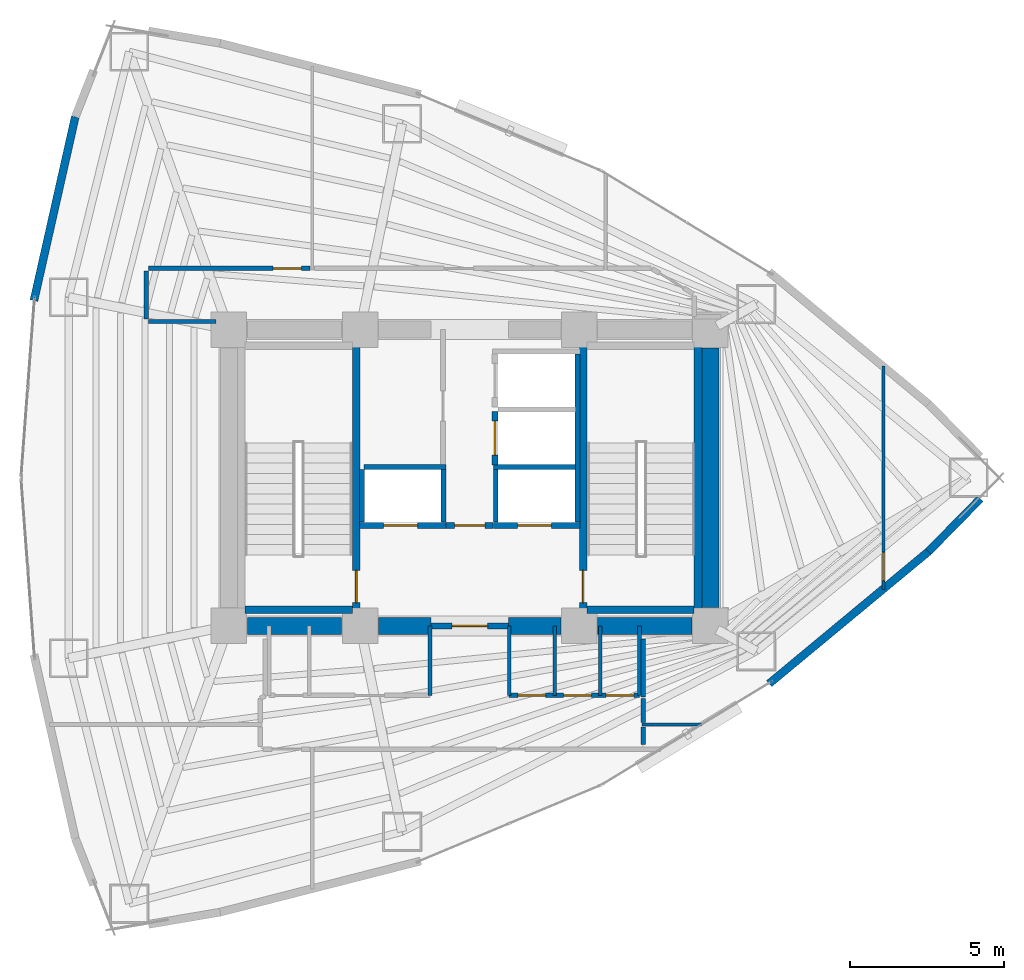
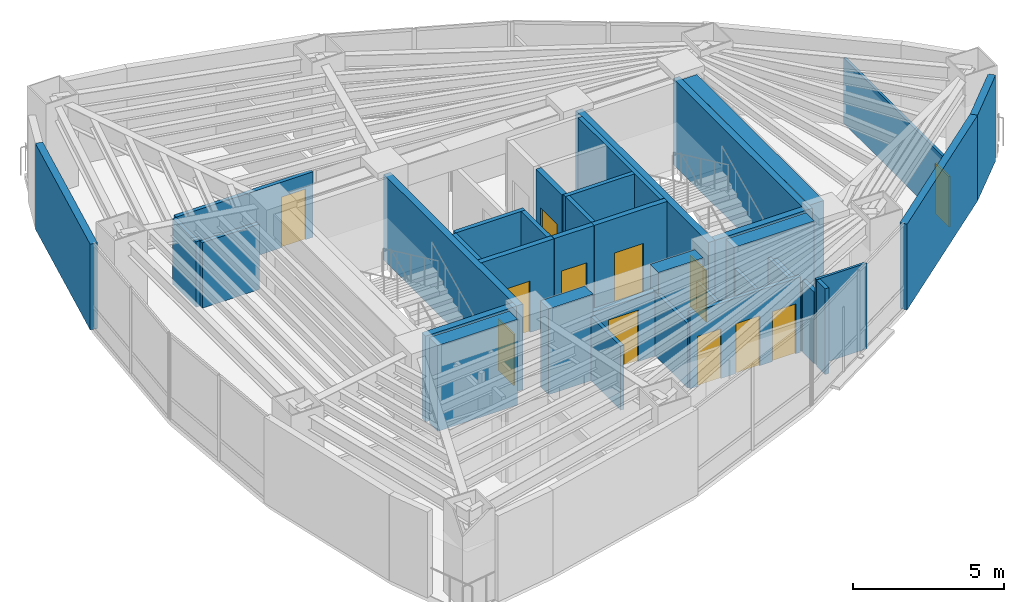
# One storey, part 15 of 18: 38 walls, 12 doors, 12 openings.
"""IFC4 building model written with IfcOpenShell, lengths in metres."""

from ifc_helpers import new_model, si_unit, direction, frame, frame_2d, origin, place, context, subcontext, project, spatial, rectangle, extrude, material, layer, layer_set, type_object, element, fill, save


model = new_model("IFC4")

# Units and contexts
model_context = context("Model", 3, precision=1e-05, world=origin(), true_north=direction((0.0, 1.0)))
body_context = subcontext(model_context, "Body", "Model", "MODEL_VIEW")
ifc_project = project(units=[si_unit("LENGTHUNIT", "METRE"), si_unit("AREAUNIT", "SQUARE_METRE"), si_unit("VOLUMEUNIT", "CUBIC_METRE"), si_unit("PLANEANGLEUNIT", "RADIAN"), si_unit("MASSUNIT", "GRAM", prefix="KILO")], contexts=[model_context])

# Site, building, storey
site_placement = place(None, origin())
site = spatial("IfcSite", under=ifc_project, at=site_placement, CompositionType="ELEMENT")
building_placement = place(site_placement, origin())
building = spatial("IfcBuilding", under=site, at=building_placement, Name="Menara Vayukalpa", CompositionType="ELEMENT")
storey_placement = place(building_placement, frame((0.0, 0.0, 126.300048828125)))
storey = spatial("IfcBuildingStorey", under=building, at=storey_placement, Name="L31", CompositionType="ELEMENT", Elevation=126.300048828125)

# Walls
ifc_material_1 = material(Name="Concrete C60/75", Category="concrete")
ifc_layer_1 = layer(ifc_material_1, 0.550048828125)
ifc_layer_set_1 = layer_set([ifc_layer_1], Name="Concrete C60/75")
wall_type_1 = type_object("IfcWallType", Name="WAL-CW550", PredefinedType="SHEAR", material=ifc_layer_set_1)
wall_1_placement = place(storey_placement, frame((18.39501953125, 17.199951171875, 0.0), z_axis=(0.0, 0.0, 1.0), x_axis=(1.0, 0.0, 0.0)))
element("IfcWall", 1, at=wall_1_placement, inside=storey, type_object=wall_type_1, Name="L31 Buttressed Core Shear Wall CWS1", PredefinedType="SHEAR", context=body_context, shape_type="SweptSolid", body=[
    extrude(rectangle(XDim=3.06005859375, YDim=0.550048828125, at=frame_2d((1.530029296875, 0.0))), origin(), (0.0, 0.0, 1.0), 3.469970703125),
])
wall_2_placement = place(storey_placement, frame((22.64501953125, 17.199951171875, 0.0), z_axis=(0.0, 0.0, 1.0), x_axis=(1.0, 0.0, 0.0)))
element("IfcWall", 2, at=wall_2_placement, inside=storey, type_object=wall_type_1, Name="L31 Buttressed Core Shear Wall CWS2", PredefinedType="SHEAR", context=body_context, shape_type="SweptSolid", body=[
    extrude(rectangle(XDim=1.705078125, YDim=0.550048828125, at=frame_2d((0.8525390625, 0.0))), origin(), (0.0, 0.0, 1.0), 3.469970703125),
])
wall_3_placement = place(storey_placement, frame((26.85009765625, 17.199951171875, 0.0), z_axis=(0.0, 0.0, 1.0), x_axis=(1.0, 0.0, 0.0)))
element("IfcWall", 3, at=wall_3_placement, inside=storey, type_object=wall_type_1, Name="L31 Buttressed Core Shear Wall CWS3", PredefinedType="SHEAR", context=body_context, shape_type="SweptSolid", body=[
    extrude(rectangle(XDim=1.704833984375, YDim=0.550048828125, at=frame_2d((0.8525390625, 0.0))), origin(), (0.0, 0.0, 1.0), 3.469970703125),
])
wall_4_placement = place(storey_placement, frame((29.7451171875, 17.199951171875, 0.0), z_axis=(0.0, 0.0, 1.0), x_axis=(1.0, 0.0, 0.0)))
element("IfcWall", 4, at=wall_4_placement, inside=storey, type_object=wall_type_1, Name="L31 Buttressed Core Shear Wall CWS4", PredefinedType="SHEAR", context=body_context, shape_type="SweptSolid", body=[
    extrude(rectangle(XDim=3.059814453125, YDim=0.550048828125, at=frame_2d((1.52978515625, 0.0))), origin(), (0.0, 0.0, 1.0), 3.469970703125),
])
wall_5_placement = place(storey_placement, frame((33.39990234375, 17.794921875, 0.0), z_axis=(0.0, 0.0, 1.0), x_axis=(0.0, 1.0, 0.0)))
element("IfcWall", 5, at=wall_5_placement, inside=storey, type_object=wall_type_1, Name="L31 Buttressed Core Shear Wall CWE1", PredefinedType="SHEAR", context=body_context, shape_type="SweptSolid", body=[
    extrude(rectangle(XDim=8.41015625, YDim=0.550048828125, at=frame_2d((4.205078125, 0.0))), origin(), (0.0, 0.0, 1.0), 3.469970703125),
])
ifc_material_2 = material(Name="Insulated Precast Concrete C40/50", Category="concrete")
ifc_layer_2 = layer(ifc_material_2, 0.260009765625)
ifc_layer_set_2 = layer_set([ifc_layer_2], Name="Insulated Precast Concrete C40/50")
wall_type_2 = type_object("IfcWallType", Name="WAL-EXT260", PredefinedType="PARTITIONING", material=ifc_layer_set_2)
wall_6_placement = place(storey_placement, frame((42.14111328125, 21.316650390625, 0.0), z_axis=(0.0, 0.0, 1.0), x_axis=(-0.700603293449, -0.713550996922, 0.0)))
element("IfcWall", 6, at=wall_6_placement, inside=storey, type_object=wall_type_2, Name="L31 Perimeter Terracotta Pier Wall 01", PredefinedType="PARTITIONING", context=body_context, shape_type="SweptSolid", body=[
    extrude(rectangle(XDim=2.394775390625, YDim=0.260009765625, at=frame_2d((1.197265625, 0.0))), origin(), (0.0, 0.0, 1.0), 3.469970703125),
])
wall_7_placement = place(storey_placement, frame((11.482421875, 27.73828125, 0.0), z_axis=(0.0, 0.0, 1.0), x_axis=(0.219535044336, 0.975604614743, 0.0)))
element("IfcWall", 7, at=wall_7_placement, inside=storey, type_object=wall_type_2, Name="L31 Perimeter Terracotta Pier Wall 09", PredefinedType="PARTITIONING", context=body_context, shape_type="SweptSolid", body=[
    extrude(rectangle(XDim=6.10205078125, YDim=0.260009765625, at=frame_2d((3.051025390625, 0.0))), origin(), (0.0, 0.0, 1.0), 3.469970703125),
])
wall_8_placement = place(storey_placement, frame((40.472412109375, 19.6162109375, 0.0), z_axis=(0.0, 0.0, 1.0), x_axis=(-0.76975316947, -0.638341646841, 0.0)))
element("IfcWall", 8, at=wall_8_placement, inside=storey, type_object=wall_type_2, Name="L31 Perimeter Terracotta Pier Wall 18", PredefinedType="PARTITIONING", context=body_context, shape_type="SweptSolid", body=[
    extrude(rectangle(XDim=6.718017578125, YDim=0.260009765625, at=frame_2d((3.35888671875, 0.0))), origin(), (0.0, 0.0, 1.0), 3.469970703125),
])
ifc_material_3 = material(Name="Lightweight Concrete Blockwork C16/20", Category="masonry")
ifc_layer_3 = layer(ifc_material_3, 0.159912109375)
ifc_layer_set_3 = layer_set([ifc_layer_3], Name="Lightweight Concrete Blockwork C16/20")
wall_type_3 = type_object("IfcWallType", Name="WAL-FR150", PredefinedType="PARTITIONING", material=ifc_layer_set_3)
for number, where, z_axis, x_axis, name in (
    (9, (22.10498046875, 20.56005859375, 0.0), (0.0, 0.0, 1.0), (0.0, 1.0, 0.0), "L31 Interior Partition IW-L31-SHW-WW"),
    (10, (24.7548828125, 20.56005859375, 0.0), (0.0, 0.0, 1.0), (0.0, 1.0, 0.0), "L31 Interior Partition IW-L31-SHW-W1E"),
):
    element("IfcWall", number, at=place(storey_placement, frame(where, z_axis=z_axis, x_axis=x_axis)), inside=storey, type_object=wall_type_3, Name=name, PredefinedType="PARTITIONING", context=body_context, shape_type="SweptSolid", body=[
        extrude(rectangle(XDim=1.7099609375, YDim=0.159912109375, at=frame_2d((0.85498046875, 0.0))), origin(), (0.0, 0.0, 1.0), 3.469970703125),
    ])
wall_9_placement = place(storey_placement, frame((22.179931640625, 22.344970703125, 0.0), z_axis=(0.0, 0.0, 1.0), x_axis=(1.0, 0.0, 0.0)))
element("IfcWall", 11, at=wall_9_placement, inside=storey, type_object=wall_type_3, Name="L31 Interior Partition IW-L31-SHM-W12", PredefinedType="PARTITIONING", context=body_context, shape_type="SweptSolid", body=[
    extrude(rectangle(XDim=2.650146484375, YDim=0.159912109375, at=frame_2d((1.3251953125, 0.0))), origin(), (0.0, 0.0, 1.0), 3.469970703125),
])
wall_10_placement = place(storey_placement, frame((29.094970703125, 20.56005859375, 0.0), z_axis=(0.0, 0.0, 1.0), x_axis=(0.0, 1.0, 0.0)))
element("IfcWall", 12, at=wall_10_placement, inside=storey, type_object=wall_type_3, Name="L31 Interior Partition IW-L31-SHW-EE", PredefinedType="PARTITIONING", context=body_context, shape_type="SweptSolid", body=[
    extrude(rectangle(XDim=5.449951171875, YDim=0.159912109375, at=frame_2d((2.72509765625, 0.0))), origin(), (0.0, 0.0, 1.0), 3.469970703125),
])
wall_11_placement = place(storey_placement, frame((26.445068359375, 20.56005859375, 0.0), z_axis=(0.0, 0.0, 1.0), x_axis=(0.0, 1.0, 0.0)))
element("IfcWall", 13, at=wall_11_placement, inside=storey, type_object=wall_type_3, Name="L31 Interior Partition IW-L31-SHW-E1W", PredefinedType="PARTITIONING", context=body_context, shape_type="SweptSolid", body=[
    extrude(rectangle(XDim=1.7099609375, YDim=0.159912109375, at=frame_2d((0.85498046875, 0.0))), origin(), (0.0, 0.0, 1.0), 3.469970703125),
])
wall_12_placement = place(storey_placement, frame((26.3701171875, 22.344970703125, 0.0), z_axis=(0.0, 0.0, 1.0), x_axis=(1.0, 0.0, 0.0)))
element("IfcWall", 14, at=wall_12_placement, inside=storey, type_object=wall_type_3, Name="L31 Interior Partition IW-L31-SHM-E13", PredefinedType="PARTITIONING", context=body_context, shape_type="SweptSolid", body=[
    extrude(rectangle(XDim=2.64990234375, YDim=0.159912109375, at=frame_2d((1.324951171875, 0.0))), origin(), (0.0, 0.0, 1.0), 3.469970703125),
])

# Wall, opening, door
ifc_material_4 = material(Name="Lightweight Concrete Blockwork C16/20", Category="masonry")
ifc_layer_4 = layer(ifc_material_4, 0.199951171875)
ifc_layer_set_4 = layer_set([ifc_layer_4], Name="Lightweight Concrete Blockwork C16/20")
wall_type_4 = type_object("IfcWallType", Name="WAL-FR200", PredefinedType="PARTITIONING", material=ifc_layer_set_4)
wall_13_placement = place(storey_placement, frame((24.35009765625, 17.199951171875, 0.0), z_axis=(0.0, 0.0, 1.0), x_axis=(1.0, 0.0, 0.0)))
wall_13 = element("IfcWall", 15, at=wall_13_placement, inside=storey, type_object=wall_type_4, Name="L31 Interior Partition IW-L31-FFLS", PredefinedType="PARTITIONING", context=body_context, shape_type="SweptSolid", body=[
    extrude(rectangle(XDim=2.5, YDim=0.199951171875, at=frame_2d((1.25, 0.0))), origin(), (0.0, 0.0, 1.0), 2.599853515625),
])
opening_1_placement = place(wall_13_placement, frame((0.679931640625, 0.0, 0.0)))
opening_1 = element("IfcOpeningElement", 16, at=opening_1_placement, cuts=wall_13, Name="Opening ID2", PredefinedType="OPENING", context=body_context, shape_type="SweptSolid", body=[
    extrude(rectangle(XDim=1.14990234375, YDim=2.080078125, at=frame_2d((0.574951171875, 1.0400390625))), frame((0.0, 0.10986328125, 0.0), z_axis=(0.0, -1.0, 0.0), x_axis=(1.0, 0.0, 0.0)), (0.0, 0.0, 1.0), 0.219970703125),
])
ifc_material_5 = material(Name="Fire-Rated Powder-Coated Steel Door", Category="steel")
door_type_1 = type_object("IfcDoorType", Name="DR-FD60W", OperationType="NOTDEFINED", PredefinedType="DOOR", material=ifc_material_5)
door_1_placement = place(opening_1_placement, origin())
door_1 = element("IfcDoor", 17, at=door_1_placement, inside=storey, type_object=door_type_1, Name="L31 Interior Door DR-L31-FFLS", OperationType="SINGLE_SWING_LEFT", OverallHeight=2.080078125, OverallWidth=1.14990234375, PredefinedType="DOOR", context=body_context, shape_type="SweptSolid", body=[
    extrude(rectangle(XDim=1.14990234375, YDim=2.080078125, at=frame_2d((0.574951171875, 1.0400390625))), frame((0.0, 0.02490234375, 0.0), z_axis=(0.0, -1.0, 0.0), x_axis=(1.0, 0.0, 0.0)), (0.0, 0.0, 1.0), 0.050048828125),
])
fill(opening_1, door_1)

wall_14_placement = place(storey_placement, frame((24.840087890625, 20.449951171875, 0.0), z_axis=(0.0, 0.0, 1.0), x_axis=(1.0, 0.0, 0.0)))
wall_14 = element("IfcWall", 18, at=wall_14_placement, inside=storey, type_object=wall_type_4, Name="L31 Interior Partition IW-L31-FFLN", PredefinedType="PARTITIONING", context=body_context, shape_type="SweptSolid", body=[
    extrude(rectangle(XDim=1.52001953125, YDim=0.199951171875, at=frame_2d((0.760009765625, 0.0))), origin(), (0.0, 0.0, 1.0), 3.469970703125),
])
opening_2_placement = place(wall_14_placement, frame((0.27001953125, 0.0, 0.0)))
opening_2 = element("IfcOpeningElement", 19, at=opening_2_placement, cuts=wall_14, Name="Opening ID3", PredefinedType="OPENING", context=body_context, shape_type="SweptSolid", body=[
    extrude(rectangle(XDim=0.97998046875, YDim=2.06005859375, at=frame_2d((0.489990234375, 1.030029296875))), frame((0.0, 0.10986328125, 0.0), z_axis=(0.0, -1.0, 0.0), x_axis=(1.0, 0.0, 0.0)), (0.0, 0.0, 1.0), 0.219970703125),
])
ifc_material_6 = material(Name="Fire-Rated Powder-Coated Steel Door", Category="steel")
door_type_2 = type_object("IfcDoorType", Name="DR-FD60", OperationType="NOTDEFINED", PredefinedType="DOOR", material=ifc_material_6)
door_2_placement = place(opening_2_placement, origin())
door_2 = element("IfcDoor", 20, at=door_2_placement, inside=storey, type_object=door_type_2, Name="L31 Interior Door DR-L31-FFLN", OperationType="SINGLE_SWING_RIGHT", OverallHeight=2.06005859375, OverallWidth=0.97998046875, PredefinedType="DOOR", context=body_context, shape_type="SweptSolid", body=[
    extrude(rectangle(XDim=0.97998046875, YDim=2.06005859375, at=frame_2d((0.489990234375, 1.030029296875))), frame((0.0, 0.02490234375, 0.0), z_axis=(0.0, -1.0, 0.0), x_axis=(1.0, 0.0, 0.0)), (0.0, 0.0, 1.0), 0.050048828125),
])
fill(opening_2, door_2)

wall_15_placement = place(storey_placement, frame((22.030029296875, 20.449951171875, 0.0), z_axis=(0.0, 0.0, 1.0), x_axis=(1.0, 0.0, 0.0)))
wall_15 = element("IfcWall", 21, at=wall_15_placement, inside=storey, type_object=wall_type_4, Name="L31 Interior Partition IW-L31-SH-W1", PredefinedType="PARTITIONING", context=body_context, shape_type="SweptSolid", body=[
    extrude(rectangle(XDim=2.800048828125, YDim=0.199951171875, at=frame_2d((1.39990234375, 0.0))), origin(), (0.0, 0.0, 1.0), 3.469970703125),
])
opening_3_placement = place(wall_15_placement, frame((0.780029296875, 0.0, 0.0)))
opening_3 = element("IfcOpeningElement", 22, at=opening_3_placement, cuts=wall_15, Name="Opening LD1", PredefinedType="OPENING", context=body_context, shape_type="SweptSolid", body=[
    extrude(rectangle(XDim=1.10009765625, YDim=2.080078125, at=frame_2d((0.550048828125, 1.0400390625))), frame((0.0, 0.10986328125, 0.0), z_axis=(0.0, -1.0, 0.0), x_axis=(1.0, 0.0, 0.0)), (0.0, 0.0, 1.0), 0.219970703125),
])
ifc_material_7 = material(Name="Brushed Stainless Steel 316 Lift Door", Category="steel")
door_type_3 = type_object("IfcDoorType", Name="DR-LD110", OperationType="NOTDEFINED", PredefinedType="DOOR", material=ifc_material_7)
door_3_placement = place(opening_3_placement, origin())
door_3 = element("IfcDoor", 23, at=door_3_placement, inside=storey, type_object=door_type_3, Name="L31 Interior Door DR-L31-LD-W1", OperationType="DOUBLE_DOOR_SLIDING", OverallHeight=2.080078125, OverallWidth=1.10009765625, PredefinedType="DOOR", context=body_context, shape_type="SweptSolid", body=[
    extrude(rectangle(XDim=1.10009765625, YDim=2.080078125, at=frame_2d((0.550048828125, 1.0400390625))), frame((0.0, 0.02490234375, 0.0), z_axis=(0.0, -1.0, 0.0), x_axis=(1.0, 0.0, 0.0)), (0.0, 0.0, 1.0), 0.050048828125),
])
fill(opening_3, door_3)

wall_16_placement = place(storey_placement, frame((26.3701171875, 20.449951171875, 0.0), z_axis=(0.0, 0.0, 1.0), x_axis=(1.0, 0.0, 0.0)))
wall_16 = element("IfcWall", 24, at=wall_16_placement, inside=storey, type_object=wall_type_4, Name="L31 Interior Partition IW-L31-SH-E1", PredefinedType="PARTITIONING", context=body_context, shape_type="SweptSolid", body=[
    extrude(rectangle(XDim=2.7998046875, YDim=0.199951171875, at=frame_2d((1.39990234375, 0.0))), origin(), (0.0, 0.0, 1.0), 3.469970703125),
])
opening_4_placement = place(wall_16_placement, frame((0.780029296875, 0.0, 0.0)))
opening_4 = element("IfcOpeningElement", 25, at=opening_4_placement, cuts=wall_16, Name="Opening LD1", PredefinedType="OPENING", context=body_context, shape_type="SweptSolid", body=[
    extrude(rectangle(XDim=1.10009765625, YDim=2.080078125, at=frame_2d((0.550048828125, 1.0400390625))), frame((0.0, 0.10986328125, 0.0), z_axis=(0.0, -1.0, 0.0), x_axis=(1.0, 0.0, 0.0)), (0.0, 0.0, 1.0), 0.219970703125),
])
door_4_placement = place(opening_4_placement, origin())
door_4 = element("IfcDoor", 26, at=door_4_placement, inside=storey, type_object=door_type_3, Name="L31 Interior Door DR-L31-LD-E1", OperationType="DOUBLE_DOOR_SLIDING", OverallHeight=2.080078125, OverallWidth=1.10009765625, PredefinedType="DOOR", context=body_context, shape_type="SweptSolid", body=[
    extrude(rectangle(XDim=1.10009765625, YDim=2.080078125, at=frame_2d((0.550048828125, 1.0400390625))), frame((0.0, 0.02490234375, 0.0), z_axis=(0.0, -1.0, 0.0), x_axis=(1.0, 0.0, 0.0)), (0.0, 0.0, 1.0), 0.050048828125),
])
fill(opening_4, door_4)

wall_17_placement = place(storey_placement, frame((26.419921875, 22.419921875, 0.0), z_axis=(0.0, 0.0, 1.0), x_axis=(0.0, 1.0, 0.0)))
wall_17 = element("IfcWall", 27, at=wall_17_placement, inside=storey, type_object=wall_type_4, Name="L31 Interior Partition IW-L31-SH-E3", PredefinedType="PARTITIONING", context=body_context, shape_type="SweptSolid", body=[
    extrude(rectangle(XDim=1.719970703125, YDim=0.199951171875, at=frame_2d((0.85986328125, 0.0))), origin(), (0.0, 0.0, 1.0), 3.469970703125),
])
opening_5_placement = place(wall_17_placement, frame((0.31005859375, 0.0, 0.0)))
opening_5 = element("IfcOpeningElement", 28, at=opening_5_placement, cuts=wall_17, Name="Opening LD1", PredefinedType="OPENING", context=body_context, shape_type="SweptSolid", body=[
    extrude(rectangle(XDim=1.10009765625, YDim=2.080078125, at=frame_2d((0.550048828125, 1.0400390625))), frame((0.0, 0.10986328125, 0.0), z_axis=(0.0, -1.0, 0.0), x_axis=(1.0, 0.0, 0.0)), (0.0, 0.0, 1.0), 0.219970703125),
])
door_5_placement = place(opening_5_placement, origin())
door_5 = element("IfcDoor", 29, at=door_5_placement, inside=storey, type_object=door_type_3, Name="L31 Interior Door DR-L31-LD-E3", OperationType="DOUBLE_DOOR_SLIDING", OverallHeight=2.080078125, OverallWidth=1.10009765625, PredefinedType="DOOR", context=body_context, shape_type="SweptSolid", body=[
    extrude(rectangle(XDim=1.10009765625, YDim=2.080078125, at=frame_2d((0.550048828125, 1.0400390625))), frame((0.0, 0.02490234375, 0.0), z_axis=(0.0, -1.0, 0.0), x_axis=(1.0, 0.0, 0.0)), (0.0, 0.0, 1.0), 0.050048828125),
])
fill(opening_5, door_5)

ifc_material_8 = material(Name="Glazed Demountable Office Partition", Category="glass")
ifc_layer_5 = layer(ifc_material_8, 0.094970703125)
ifc_layer_set_5 = layer_set([ifc_layer_5], Name="Glazed Demountable Office Partition")
wall_type_5 = type_object("IfcWallType", Name="WAL-PT100", PredefinedType="PARTITIONING", material=ifc_layer_set_5)
wall_18_placement = place(storey_placement, frame((39.0, 18.382080078125, 0.0), z_axis=(0.0, 0.0, 1.0), x_axis=(0.0, 1.0, 0.0)))
wall_18 = element("IfcWall", 30, at=wall_18_placement, inside=storey, type_object=wall_type_5, Name="L31 Interior Partition IW-L31-RDIV04", PredefinedType="PARTITIONING", context=body_context, shape_type="SweptSolid", body=[
    extrude(rectangle(XDim=7.23583984375, YDim=0.094970703125, at=frame_2d((3.617919921875, 0.0))), origin(), (0.0, 0.0, 1.0), 2.64990234375),
])
opening_6_placement = place(wall_18_placement, frame((0.280029296875, 0.0, 0.0)))
opening_6 = element("IfcOpeningElement", 31, at=opening_6_placement, cuts=wall_18, Name="Opening ID6", PredefinedType="OPENING", context=body_context, shape_type="SweptSolid", body=[
    extrude(rectangle(XDim=0.919921875, YDim=2.050048828125, at=frame_2d((0.4599609375, 1.02490234375))), frame((0.0, 0.057373046875, 0.0), z_axis=(0.0, -1.0, 0.0), x_axis=(1.0, 0.0, 0.0)), (0.0, 0.0, 1.0), 0.114990234375),
])
ifc_material_9 = material(Name="Acoustic Hardwood Veneer Timber Door", Category="wood")
door_type_4 = type_object("IfcDoorType", Name="DR-INT92", OperationType="NOTDEFINED", PredefinedType="DOOR", material=ifc_material_9)
door_6_placement = place(opening_6_placement, origin())
door_6 = element("IfcDoor", 32, at=door_6_placement, inside=storey, type_object=door_type_4, Name="L31 Interior Door DR-L31-STE03", OperationType="SINGLE_SWING_RIGHT", OverallHeight=2.050048828125, OverallWidth=0.919921875, PredefinedType="DOOR", context=body_context, shape_type="SweptSolid", body=[
    extrude(rectangle(XDim=0.919921875, YDim=2.050048828125, at=frame_2d((0.4599609375, 1.02490234375))), frame((0.0, 0.02490234375, 0.0), z_axis=(0.0, -1.0, 0.0), x_axis=(1.0, 0.0, 0.0)), (0.0, 0.0, 1.0), 0.050048828125),
])
fill(opening_6, door_6)

# Walls
wall_19_placement = place(storey_placement, frame((31.179931640625, 14.0, 0.0), z_axis=(0.0, 0.0, 1.0), x_axis=(1.0, 0.0, 0.0)))
element("IfcWall", 33, at=wall_19_placement, inside=storey, type_object=wall_type_5, Name="L31 Interior Partition IW-L31-RDIV06", PredefinedType="PARTITIONING", context=body_context, shape_type="SweptSolid", body=[
    extrude(rectangle(XDim=1.923828125, YDim=0.094970703125, at=frame_2d((0.9619140625, 0.0))), origin(), (0.0, 0.0, 1.0), 3.469970703125),
])
ifc_material_10 = material(Name="Acoustic Mineral Stud Partition", Category="masonry")
ifc_layer_6 = layer(ifc_material_10, 0.110107421875)
ifc_layer_set_6 = layer_set([ifc_layer_6], Name="Acoustic Mineral Stud Partition")
wall_type_6 = type_object("IfcWallType", Name="WAL-PT110", PredefinedType="PARTITIONING", material=ifc_layer_set_6)
wall_20_placement = place(storey_placement, frame((28.35009765625, 14.949951171875, 0.0), z_axis=(0.0, 0.0, 1.0), x_axis=(0.0, 1.0, 0.0)))
element("IfcWall", 34, at=wall_20_placement, inside=storey, type_object=wall_type_6, Name="L31 Interior Partition IW-L31-SVCD-05", PredefinedType="PARTITIONING", context=body_context, shape_type="SweptSolid", body=[
    extrude(rectangle(XDim=2.25, YDim=0.110107421875, at=frame_2d((1.125, 0.0))), origin(), (0.0, 0.0, 1.0), 2.599853515625),
])
ifc_material_11 = material(Name="Gypsum Drywall Steel Stud Assembly", Category="steel")
ifc_layer_7 = layer(ifc_material_11, 0.125)
ifc_layer_set_7 = layer_set([ifc_layer_7], Name="Gypsum Drywall Steel Stud Assembly")
wall_type_7 = type_object("IfcWallType", Name="WAL-PT125", PredefinedType="PARTITIONING", material=ifc_layer_set_7)
for number, where, z_axis, x_axis, name in (
    (35, (24.320068359375, 14.949951171875, 0.0), (0.0, 0.0, 1.0), (0.0, 1.0, 0.0), "L31 Interior Partition IW-L31-SVCD-03"),
    (36, (26.8798828125, 14.949951171875, 0.0), (0.0, 0.0, 1.0), (0.0, 1.0, 0.0), "L31 Interior Partition IW-L31-SVCD-04"),
    (37, (29.830078125, 14.949951171875, 0.0), (0.0, 0.0, 1.0), (0.0, 1.0, 0.0), "L31 Interior Partition IW-L31-SVCD-06"),
    (38, (31.10009765625, 14.949951171875, 0.0), (0.0, 0.0, 1.0), (0.0, 1.0, 0.0), "L31 Interior Partition IW-L31-SVCD-07"),
):
    element("IfcWall", number, at=place(storey_placement, frame(where, z_axis=z_axis, x_axis=x_axis)), inside=storey, type_object=wall_type_7, Name=name, PredefinedType="PARTITIONING", context=body_context, shape_type="SweptSolid", body=[
        extrude(rectangle(XDim=2.25, YDim=0.125, at=frame_2d((1.125, 0.0))), origin(), (0.0, 0.0, 1.0), 2.599853515625),
    ])

# Wall, openings, doors
ifc_material_12 = material(Name="Gypsum Drywall Acoustic Stud Assembly", Category="masonry")
ifc_layer_8 = layer(ifc_material_12, 0.14501953125)
ifc_layer_set_8 = layer_set([ifc_layer_8], Name="Gypsum Drywall Acoustic Stud Assembly")
wall_type_8 = type_object("IfcWallType", Name="WAL-PT150", PredefinedType="PARTITIONING", material=ifc_layer_set_8)
wall_21_placement = place(storey_placement, frame((26.8798828125, 14.949951171875, 0.0), z_axis=(0.0, 0.0, 1.0), x_axis=(1.0, 0.0, 0.0)))
wall_21 = element("IfcWall", 39, at=wall_21_placement, inside=storey, type_object=wall_type_8, Name="L31 Interior Partition IW-L31-SVCS-E", PredefinedType="PARTITIONING", context=body_context, shape_type="SweptSolid", body=[
    extrude(rectangle(XDim=4.22021484375, YDim=0.14501953125, at=frame_2d((2.110107421875, 0.0))), origin(), (0.0, 0.0, 1.0), 3.050048828125),
])
opening_7_placement = place(wall_21_placement, frame((0.280029296875, 0.0, 0.0)))
opening_7 = element("IfcOpeningElement", 40, at=opening_7_placement, cuts=wall_21, Name="Opening ID7", PredefinedType="OPENING", context=body_context, shape_type="SweptSolid", body=[
    extrude(rectangle(XDim=0.89990234375, YDim=2.02001953125, at=frame_2d((0.449951171875, 1.010009765625))), frame((0.0, 0.08251953125, 0.0), z_axis=(0.0, -1.0, 0.0), x_axis=(1.0, 0.0, 0.0)), (0.0, 0.0, 1.0), 0.1650390625),
])
opening_8_placement = place(wall_21_placement, frame((1.760009765625, 0.0, 0.0)))
opening_8 = element("IfcOpeningElement", 41, at=opening_8_placement, cuts=wall_21, Name="Opening ID7", PredefinedType="OPENING", context=body_context, shape_type="SweptSolid", body=[
    extrude(rectangle(XDim=0.89990234375, YDim=2.02001953125, at=frame_2d((0.449951171875, 1.010009765625))), frame((0.0, 0.08251953125, 0.0), z_axis=(0.0, -1.0, 0.0), x_axis=(1.0, 0.0, 0.0)), (0.0, 0.0, 1.0), 0.1650390625),
])
opening_9_placement = place(wall_21_placement, frame((3.139892578125, 0.0, 0.0)))
opening_9 = element("IfcOpeningElement", 42, at=opening_9_placement, cuts=wall_21, Name="Opening ID7", PredefinedType="OPENING", context=body_context, shape_type="SweptSolid", body=[
    extrude(rectangle(XDim=0.89990234375, YDim=2.02001953125, at=frame_2d((0.449951171875, 1.010009765625))), frame((0.0, 0.08251953125, 0.0), z_axis=(0.0, -1.0, 0.0), x_axis=(1.0, 0.0, 0.0)), (0.0, 0.0, 1.0), 0.1650390625),
])
ifc_material_13 = material(Name="Powder-Coated Steel Riser Access Door", Category="steel")
door_type_5 = type_object("IfcDoorType", Name="DR-RISER", OperationType="NOTDEFINED", PredefinedType="DOOR", material=ifc_material_13)
door_7_placement = place(opening_7_placement, origin())
door_7 = element("IfcDoor", 43, at=door_7_placement, inside=storey, type_object=door_type_5, Name="L31 Interior Door DR-L31-KSV1", OperationType="SINGLE_SWING_RIGHT", OverallHeight=2.02001953125, OverallWidth=0.89990234375, PredefinedType="DOOR", context=body_context, shape_type="SweptSolid", body=[
    extrude(rectangle(XDim=0.89990234375, YDim=2.02001953125, at=frame_2d((0.449951171875, 1.010009765625))), frame((0.0, 0.02490234375, 0.0), z_axis=(0.0, -1.0, 0.0), x_axis=(1.0, 0.0, 0.0)), (0.0, 0.0, 1.0), 0.050048828125),
])
fill(opening_7, door_7)
door_8_placement = place(opening_8_placement, origin())
door_8 = element("IfcDoor", 44, at=door_8_placement, inside=storey, type_object=door_type_5, Name="L31 Interior Door DR-L31-KSV2", OperationType="SINGLE_SWING_LEFT", OverallHeight=2.02001953125, OverallWidth=0.89990234375, PredefinedType="DOOR", context=body_context, shape_type="SweptSolid", body=[
    extrude(rectangle(XDim=0.89990234375, YDim=2.02001953125, at=frame_2d((0.449951171875, 1.010009765625))), frame((0.0, 0.02490234375, 0.0), z_axis=(0.0, -1.0, 0.0), x_axis=(1.0, 0.0, 0.0)), (0.0, 0.0, 1.0), 0.050048828125),
])
fill(opening_8, door_8)
door_9_placement = place(opening_9_placement, origin())
door_9 = element("IfcDoor", 45, at=door_9_placement, inside=storey, type_object=door_type_5, Name="L31 Interior Door DR-L31-SMD", OperationType="SINGLE_SWING_RIGHT", OverallHeight=2.02001953125, OverallWidth=0.89990234375, PredefinedType="DOOR", context=body_context, shape_type="SweptSolid", body=[
    extrude(rectangle(XDim=0.89990234375, YDim=2.02001953125, at=frame_2d((0.449951171875, 1.010009765625))), frame((0.0, 0.02490234375, 0.0), z_axis=(0.0, -1.0, 0.0), x_axis=(1.0, 0.0, 0.0)), (0.0, 0.0, 1.0), 0.050048828125),
])
fill(opening_9, door_9)

# Walls
wall_22_placement = place(storey_placement, frame((31.22998046875, 13.351318359375, 0.0), z_axis=(0.0, 0.0, 1.0), x_axis=(0.0, 1.0, 0.0)))
element("IfcWall", 46, at=wall_22_placement, inside=storey, type_object=wall_type_8, Name="L31 Interior Partition IW-L31-CRM02-2", PredefinedType="PARTITIONING", context=body_context, shape_type="SweptSolid", body=[
    extrude(rectangle(XDim=0.57861328125, YDim=0.14501953125, at=frame_2d((0.289306640625, 0.0))), origin(), (0.0, 0.0, 1.0), 3.469970703125),
])
wall_23_placement = place(storey_placement, frame((31.22998046875, 14.070068359375, 0.0), z_axis=(0.0, 0.0, 1.0), x_axis=(0.0, 1.0, 0.0)))
element("IfcWall", 47, at=wall_23_placement, inside=storey, type_object=wall_type_8, Name="L31 Interior Partition IW-L31-CRM04-1", PredefinedType="PARTITIONING", context=body_context, shape_type="SweptSolid", body=[
    extrude(rectangle(XDim=0.780029296875, YDim=0.14501953125, at=frame_2d((0.39013671875, 0.0))), origin(), (0.0, 0.0, 1.0), 2.89990234375),
])
wall_24_placement = place(storey_placement, frame((31.219970703125, 14.888671875, 0.0), z_axis=(0.0, 0.0, 1.0), x_axis=(0.0, 1.0, 0.0)))
element("IfcWall", 48, at=wall_24_placement, inside=storey, type_object=wall_type_8, Name="L31 Interior Partition IW-L31-CRM04-2", PredefinedType="PARTITIONING", context=body_context, shape_type="SweptSolid", body=[
    extrude(rectangle(XDim=1.891357421875, YDim=0.14501953125, at=frame_2d((0.94580078125, 0.0))), origin(), (0.0, 0.0, 1.0), 2.599853515625),
])

# Wall, opening, door
wall_25_placement = place(storey_placement, frame((20.429931640625, 28.780029296875, 0.0), z_axis=(0.0, 0.0, 1.0), x_axis=(-1.0, 0.0, 0.0)))
wall_25 = element("IfcWall", 49, at=wall_25_placement, inside=storey, type_object=wall_type_8, Name="L31 Interior Partition IW-L31-CRM06-1", PredefinedType="PARTITIONING", context=body_context, shape_type="SweptSolid", body=[
    extrude(rectangle(XDim=5.22998046875, YDim=0.14501953125, at=frame_2d((2.614990234375, 0.0))), origin(), (0.0, 0.0, 1.0), 2.64990234375),
])
opening_10_placement = place(wall_25_placement, frame((0.280029296875, 0.0, 0.0)))
opening_10 = element("IfcOpeningElement", 50, at=opening_10_placement, cuts=wall_25, Name="Opening ID6", PredefinedType="OPENING", context=body_context, shape_type="SweptSolid", body=[
    extrude(rectangle(XDim=0.919921875, YDim=2.050048828125, at=frame_2d((0.4599609375, 1.02490234375))), frame((0.0, 0.08251953125, 0.0), z_axis=(0.0, -1.0, 0.0), x_axis=(1.0, 0.0, 0.0)), (0.0, 0.0, 1.0), 0.1650390625),
])
door_10_placement = place(opening_10_placement, origin())
door_10 = element("IfcDoor", 51, at=door_10_placement, inside=storey, type_object=door_type_4, Name="L31 Interior Door DR-L31-RM06", OperationType="SINGLE_SWING_LEFT", OverallHeight=2.050048828125, OverallWidth=0.919921875, PredefinedType="DOOR", context=body_context, shape_type="SweptSolid", body=[
    extrude(rectangle(XDim=0.919921875, YDim=2.050048828125, at=frame_2d((0.4599609375, 1.02490234375))), frame((0.0, 0.02490234375, 0.0), z_axis=(0.0, -1.0, 0.0), x_axis=(1.0, 0.0, 0.0)), (0.0, 0.0, 1.0), 0.050048828125),
])
fill(opening_10, door_10)

# Walls
wall_26_placement = place(storey_placement, frame((15.1201171875, 28.699951171875, 0.0), z_axis=(0.0, 0.0, 1.0), x_axis=(0.0, -1.0, 0.0)))
element("IfcWall", 52, at=wall_26_placement, inside=storey, type_object=wall_type_8, Name="L31 Interior Partition IW-L31-CRM06-2", PredefinedType="PARTITIONING", context=body_context, shape_type="SweptSolid", body=[
    extrude(rectangle(XDim=1.56005859375, YDim=0.14501953125, at=frame_2d((0.780029296875, 0.0))), origin(), (0.0, 0.0, 1.0), 2.64990234375),
])
wall_27_placement = place(storey_placement, frame((15.199951171875, 27.06005859375, 0.0), z_axis=(0.0, 0.0, 1.0), x_axis=(1.0, 0.0, 0.0)))
element("IfcWall", 53, at=wall_27_placement, inside=storey, type_object=wall_type_8, Name="L31 Interior Partition IW-L31-CRM06-3", PredefinedType="PARTITIONING", context=body_context, shape_type="SweptSolid", body=[
    extrude(rectangle(XDim=2.179931640625, YDim=0.14501953125, at=frame_2d((1.08984375, 0.0))), origin(), (0.0, 0.0, 1.0), 2.64990234375),
])

# Wall, opening, door
ifc_material_14 = material(Name="Concrete C50/60", Category="concrete")
ifc_layer_9 = layer(ifc_material_14, 0.25)
ifc_layer_set_9 = layer_set([ifc_layer_9], Name="Concrete C50/60")
wall_type_9 = type_object("IfcWallType", Name="WAL-SW250", PredefinedType="SHEAR", material=ifc_layer_set_9)
wall_28_placement = place(storey_placement, frame((21.925048828125, 17.60009765625, 0.0), z_axis=(0.0, 0.0, 1.0), x_axis=(0.0, 1.0, 0.0)))
wall_28 = element("IfcWall", 54, at=wall_28_placement, inside=storey, type_object=wall_type_9, Name="L31 ST1 Structural Stair Shaft Wall E", PredefinedType="SHEAR", context=body_context, shape_type="SweptSolid", body=[
    extrude(rectangle(XDim=8.7998046875, YDim=0.25, at=frame_2d((4.39990234375, 0.0))), origin(), (0.0, 0.0, 1.0), 3.469970703125),
])
opening_11_placement = place(wall_28_placement, frame((0.35009765625, 0.0, 0.0)))
opening_11 = element("IfcOpeningElement", 55, at=opening_11_placement, cuts=wall_28, Name="Opening ID1", PredefinedType="OPENING", context=body_context, shape_type="SweptSolid", body=[
    extrude(rectangle(XDim=1.050048828125, YDim=2.080078125, at=frame_2d((0.52490234375, 1.0400390625))), frame((0.0, 0.135009765625, 0.0), z_axis=(0.0, -1.0, 0.0), x_axis=(1.0, 0.0, 0.0)), (0.0, 0.0, 1.0), 0.27001953125),
])
ifc_material_15 = material(Name="Fire-Rated Powder-Coated Steel Door", Category="steel")
door_type_6 = type_object("IfcDoorType", Name="DR-FD120", OperationType="NOTDEFINED", PredefinedType="DOOR", material=ifc_material_15)
door_11_placement = place(opening_11_placement, origin())
door_11 = element("IfcDoor", 56, at=door_11_placement, inside=storey, type_object=door_type_6, Name="L31 Stair Exit Door DR-L31-ST1", OperationType="SINGLE_SWING_LEFT", OverallHeight=2.080078125, OverallWidth=1.050048828125, PredefinedType="DOOR", context=body_context, shape_type="SweptSolid", body=[
    extrude(rectangle(XDim=1.050048828125, YDim=2.080078125, at=frame_2d((0.52490234375, 1.0400390625))), frame((0.0, 0.02490234375, 0.0), z_axis=(0.0, -1.0, 0.0), x_axis=(1.0, 0.0, 0.0)), (0.0, 0.0, 1.0), 0.050048828125),
])
fill(opening_11, door_11)

# Wall
wall_29_placement = place(storey_placement, frame((18.3291015625, 17.72509765625, 0.0), z_axis=(0.0, 0.0, 1.0), x_axis=(1.0, 0.0, 0.0)))
element("IfcWall", 57, at=wall_29_placement, inside=storey, type_object=wall_type_9, Name="L31 ST1 Structural Stair Shaft Wall S", PredefinedType="SHEAR", context=body_context, shape_type="SweptSolid", body=[
    extrude(rectangle(XDim=3.470947265625, YDim=0.25, at=frame_2d((1.7353515625, 0.0))), origin(), (0.0, 0.0, 1.0), 3.469970703125),
])

# Wall, opening, door
wall_30_placement = place(storey_placement, frame((29.27490234375, 17.60009765625, 0.0), z_axis=(0.0, 0.0, 1.0), x_axis=(0.0, 1.0, 0.0)))
wall_30 = element("IfcWall", 58, at=wall_30_placement, inside=storey, type_object=wall_type_9, Name="L31 ST2 Structural Stair Shaft Wall W", PredefinedType="SHEAR", context=body_context, shape_type="SweptSolid", body=[
    extrude(rectangle(XDim=8.7998046875, YDim=0.25, at=frame_2d((4.39990234375, 0.0))), origin(), (0.0, 0.0, 1.0), 3.469970703125),
])
opening_12_placement = place(wall_30_placement, frame((0.35009765625, 0.0, 0.0)))
opening_12 = element("IfcOpeningElement", 59, at=opening_12_placement, cuts=wall_30, Name="Opening ID1", PredefinedType="OPENING", context=body_context, shape_type="SweptSolid", body=[
    extrude(rectangle(XDim=1.050048828125, YDim=2.080078125, at=frame_2d((0.52490234375, 1.0400390625))), frame((0.0, 0.135009765625, 0.0), z_axis=(0.0, -1.0, 0.0), x_axis=(1.0, 0.0, 0.0)), (0.0, 0.0, 1.0), 0.27001953125),
])
door_12_placement = place(opening_12_placement, origin())
door_12 = element("IfcDoor", 60, at=door_12_placement, inside=storey, type_object=door_type_6, Name="L31 Stair Exit Door DR-L31-ST2", OperationType="SINGLE_SWING_RIGHT", OverallHeight=2.080078125, OverallWidth=1.050048828125, PredefinedType="DOOR", context=body_context, shape_type="SweptSolid", body=[
    extrude(rectangle(XDim=1.050048828125, YDim=2.080078125, at=frame_2d((0.52490234375, 1.0400390625))), frame((0.0, 0.02490234375, 0.0), z_axis=(0.0, -1.0, 0.0), x_axis=(1.0, 0.0, 0.0)), (0.0, 0.0, 1.0), 0.050048828125),
])
fill(opening_12, door_12)

# Walls
wall_31_placement = place(storey_placement, frame((32.99609375, 17.60009765625, 0.0), z_axis=(0.0, 0.0, 1.0), x_axis=(0.0, 1.0, 0.0)))
element("IfcWall", 61, at=wall_31_placement, inside=storey, type_object=wall_type_9, Name="L31 ST2 Structural Stair Shaft Wall E", PredefinedType="SHEAR", context=body_context, shape_type="SweptSolid", body=[
    extrude(rectangle(XDim=8.7998046875, YDim=0.25, at=frame_2d((4.39990234375, 0.0))), origin(), (0.0, 0.0, 1.0), 3.469970703125),
])
wall_32_placement = place(storey_placement, frame((29.39990234375, 17.72509765625, 0.0), z_axis=(0.0, 0.0, 1.0), x_axis=(1.0, 0.0, 0.0)))
element("IfcWall", 62, at=wall_32_placement, inside=storey, type_object=wall_type_9, Name="L31 ST2 Structural Stair Shaft Wall S", PredefinedType="SHEAR", context=body_context, shape_type="SweptSolid", body=[
    extrude(rectangle(XDim=3.47119140625, YDim=0.25, at=frame_2d((1.735595703125, 0.0))), origin(), (0.0, 0.0, 1.0), 3.469970703125),
])

save(model, "model.ifc")
